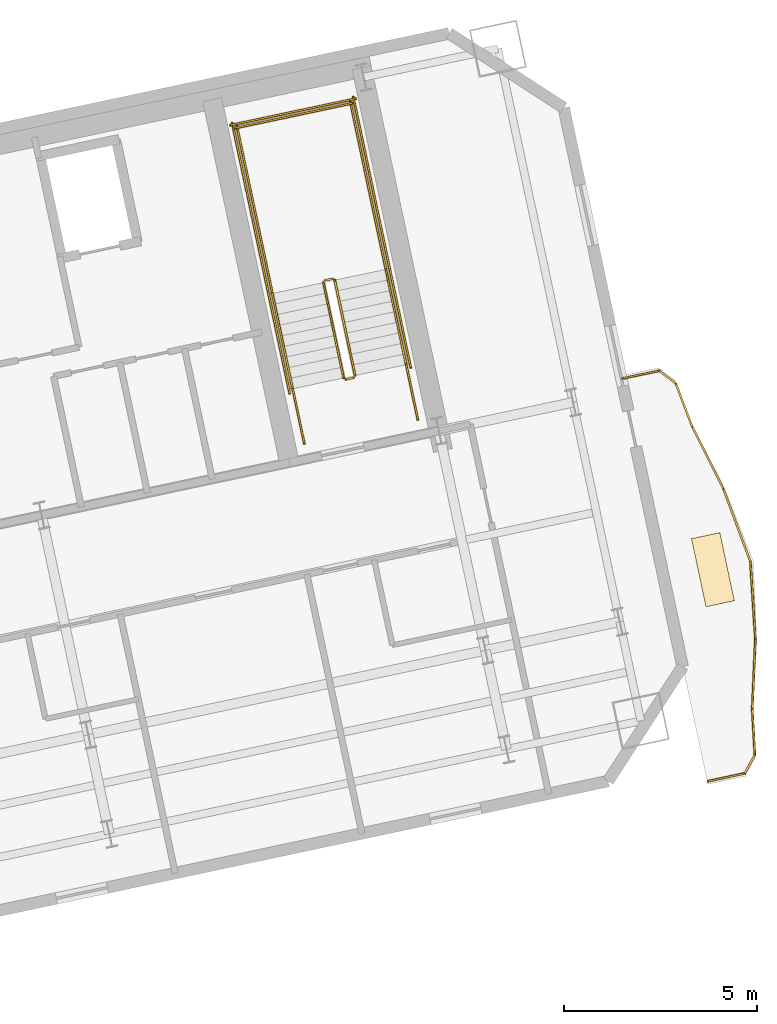
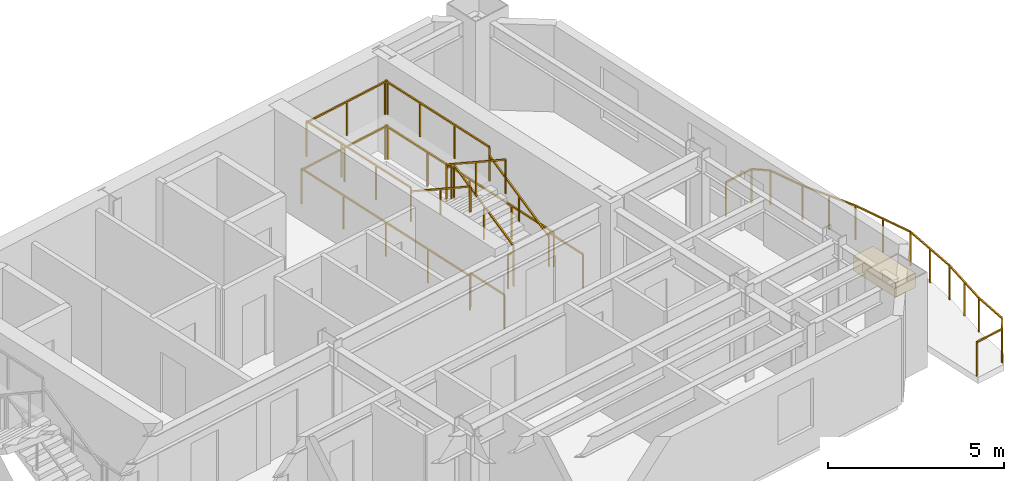
# One storey, part 13 of 13: 24 railings, 1 covering.
"""IFC4 building model written with IfcOpenShell, lengths in metres."""

from ifc_helpers import new_model, si_unit, direction, frame, origin, origin_2d, place, context, subcontext, project, spatial, rectangle, extrude, material, layer, layer_set, type_object, element, save


model = new_model("IFC4")

# Units and contexts
model_context = context("Model", 3, precision=1e-05, world=origin(), true_north=direction((0.0, 1.0)))
body_context = subcontext(model_context, "Body", "Model", "MODEL_VIEW")
ifc_project = project(units=[si_unit("LENGTHUNIT", "METRE"), si_unit("AREAUNIT", "SQUARE_METRE"), si_unit("VOLUMEUNIT", "CUBIC_METRE"), si_unit("PLANEANGLEUNIT", "RADIAN"), si_unit("MASSUNIT", "GRAM", prefix="KILO")], contexts=[model_context])

# Site, building, storey
site_placement = place(None, origin())
site = spatial("IfcSite", under=ifc_project, at=site_placement, CompositionType="ELEMENT")
building_placement = place(site_placement, origin())
building = spatial("IfcBuilding", under=site, at=building_placement, Name="Haevon Station Towers", CompositionType="ELEMENT")
storey_placement = place(building_placement, frame((0.0, 0.0, 189.0)))
storey = spatial("IfcBuildingStorey", under=building, at=storey_placement, Name="L52", CompositionType="ELEMENT", Elevation=189.0)

# Railings
ifc_material_1 = material(Name="Steel S355", Category="steel")
railing_type_1 = type_object("IfcRailingType", Name="GRD-EXT1200", PredefinedType="GUARDRAIL", material=ifc_material_1)
railing_1_placement = place(storey_placement, frame((126.25244140625, 32.750244140625, 0.0)))
element("IfcRailing", 1, at=railing_1_placement, inside=storey, type_object=railing_type_1, Name="L52 Perimeter Guardrail 1", PredefinedType="GUARDRAIL", context=body_context, shape_type="SweptSolid", body=[
    extrude(rectangle(XDim=0.048095703125, YDim=0.048095703125, at=origin_2d()), frame((0.0, 0.0, 1.17578125), z_axis=(0.977706975704, 0.209973973767, 0.0), x_axis=(-0.209973973767, 0.977706975704, 0.0)), (0.0, 0.0, 1.0), 0.974365234375),
    extrude(rectangle(XDim=0.0419921875, YDim=0.0419921875, at=origin_2d()), origin(), (0.0, 0.0, 1.0), 1.15185546875),
    extrude(rectangle(XDim=0.0419921875, YDim=0.0419921875, at=origin_2d()), frame((0.95263671875, 0.20458984375, 0.0)), (0.0, 0.0, 1.0), 1.15185546875),
])
railing_2_placement = place(storey_placement, frame((127.205078125, 32.954833984375, 0.0)))
element("IfcRailing", 2, at=railing_2_placement, inside=storey, type_object=railing_type_1, Name="L52 Perimeter Guardrail 2", PredefinedType="GUARDRAIL", context=body_context, shape_type="SweptSolid", body=[
    extrude(rectangle(XDim=0.048095703125, YDim=0.048095703125, at=origin_2d()), frame((0.0, 0.0, 1.17578125), z_axis=(0.480899548863, 0.876775697601, 0.0), x_axis=(-0.876775697601, 0.480899548863, 0.0)), (0.0, 0.0, 1.0), 0.542724609375),
    extrude(rectangle(XDim=0.0419921875, YDim=0.0419921875, at=origin_2d()), origin(), (0.0, 0.0, 1.0), 1.15185546875),
    extrude(rectangle(XDim=0.0419921875, YDim=0.0419921875, at=origin_2d()), frame((0.260986328125, 0.475830078125, 0.0)), (0.0, 0.0, 1.0), 1.15185546875),
])
railing_3_placement = place(storey_placement, frame((127.466064453125, 33.4306640625, 0.0)))
element("IfcRailing", 3, at=railing_3_placement, inside=storey, type_object=railing_type_1, Name="L52 Perimeter Guardrail 3", PredefinedType="GUARDRAIL", context=body_context, shape_type="SweptSolid", body=[
    extrude(rectangle(XDim=0.048095703125, YDim=0.048095703125, at=origin_2d()), frame((0.0, 0.0, 1.17578125), z_axis=(-0.056691663629, 0.998391734378, 0.0), x_axis=(-0.998391734378, -0.056691663629, 0.0)), (0.0, 0.0, 1.0), 1.184326171875),
    extrude(rectangle(XDim=0.0419921875, YDim=0.0419921875, at=origin_2d()), origin(), (0.0, 0.0, 1.0), 1.15185546875),
    extrude(rectangle(XDim=0.0419921875, YDim=0.0419921875, at=origin_2d()), frame((-0.067138671875, 1.182373046875, 0.0)), (0.0, 0.0, 1.0), 1.15185546875),
])
railing_4_placement = place(storey_placement, frame((127.39892578125, 34.613037109375, 0.0)))
element("IfcRailing", 4, at=railing_4_placement, inside=storey, type_object=railing_type_1, Name="L52 Perimeter Guardrail 4", PredefinedType="GUARDRAIL", context=body_context, shape_type="SweptSolid", body=[
    extrude(rectangle(XDim=0.048095703125, YDim=0.048095703125, at=origin_2d()), frame((0.0, 0.0, 1.17578125), z_axis=(0.044487583836, 0.99900993733, 0.0), x_axis=(-0.99900993733, 0.044487583836, 0.0)), (0.0, 0.0, 1.0), 1.805419921875),
    extrude(rectangle(XDim=0.0419921875, YDim=0.0419921875, at=origin_2d()), origin(), (0.0, 0.0, 1.0), 1.15185546875),
    extrude(rectangle(XDim=0.0419921875, YDim=0.0419921875, at=origin_2d()), frame((0.0400390625, 0.90185546875, 0.0)), (0.0, 0.0, 1.0), 1.15185546875),
    extrude(rectangle(XDim=0.0419921875, YDim=0.0419921875, at=origin_2d()), frame((0.080322265625, 1.8037109375, 0.0)), (0.0, 0.0, 1.0), 1.15185546875),
])
railing_5_placement = place(storey_placement, frame((127.479248046875, 36.416748046875, 0.0)))
element("IfcRailing", 5, at=railing_5_placement, inside=storey, type_object=railing_type_1, Name="L52 Perimeter Guardrail 5", PredefinedType="GUARDRAIL", context=body_context, shape_type="SweptSolid", body=[
    extrude(rectangle(XDim=0.048095703125, YDim=0.048095703125, at=origin_2d()), frame((0.0, 0.0, 1.17578125), z_axis=(-0.063329948966, 0.997992644043, 0.0), x_axis=(-0.997992644043, -0.063329948966, 0.0)), (0.0, 0.0, 1.0), 2.012451171875),
    extrude(rectangle(XDim=0.0419921875, YDim=0.0419921875, at=origin_2d()), origin(), (0.0, 0.0, 1.0), 1.15185546875),
    extrude(rectangle(XDim=0.0419921875, YDim=0.0419921875, at=origin_2d()), frame((-0.063720703125, 1.004150390625, 0.0)), (0.0, 0.0, 1.0), 1.15185546875),
    extrude(rectangle(XDim=0.0419921875, YDim=0.0419921875, at=origin_2d()), frame((-0.12744140625, 2.00830078125, 0.0)), (0.0, 0.0, 1.0), 1.15185546875),
])
railing_6_placement = place(storey_placement, frame((127.351806640625, 38.425048828125, 0.0)))
element("IfcRailing", 6, at=railing_6_placement, inside=storey, type_object=railing_type_1, Name="L52 Perimeter Guardrail 6", PredefinedType="GUARDRAIL", context=body_context, shape_type="SweptSolid", body=[
    extrude(rectangle(XDim=0.048095703125, YDim=0.048095703125, at=origin_2d()), frame((0.0, 0.0, 1.17578125), z_axis=(-0.348076866175, 0.937465996841, 0.0), x_axis=(-0.937465996841, -0.348076866175, 0.0)), (0.0, 0.0, 1.0), 2.01220703125),
    extrude(rectangle(XDim=0.0419921875, YDim=0.0419921875, at=origin_2d()), origin(), (0.0, 0.0, 1.0), 1.15185546875),
    extrude(rectangle(XDim=0.0419921875, YDim=0.0419921875, at=origin_2d()), frame((-0.35009765625, 0.943359375, 0.0)), (0.0, 0.0, 1.0), 1.15185546875),
    extrude(rectangle(XDim=0.0419921875, YDim=0.0419921875, at=origin_2d()), frame((-0.700439453125, 1.886474609375, 0.0)), (0.0, 0.0, 1.0), 1.15185546875),
])
railing_7_placement = place(storey_placement, frame((126.6513671875, 40.3115234375, 0.0)))
element("IfcRailing", 7, at=railing_7_placement, inside=storey, type_object=railing_type_1, Name="L52 Perimeter Guardrail 7", PredefinedType="GUARDRAIL", context=body_context, shape_type="SweptSolid", body=[
    extrude(rectangle(XDim=0.048095703125, YDim=0.048095703125, at=origin_2d()), frame((0.0, 0.0, 1.17578125), z_axis=(-0.446889047543, 0.894589391389, 0.0), x_axis=(-0.894589391389, -0.446889047543, 0.0)), (0.0, 0.0, 1.0), 1.8056640625),
    extrude(rectangle(XDim=0.0419921875, YDim=0.0419921875, at=origin_2d()), origin(), (0.0, 0.0, 1.0), 1.15185546875),
    extrude(rectangle(XDim=0.0419921875, YDim=0.0419921875, at=origin_2d()), frame((-0.4033203125, 0.8076171875, 0.0)), (0.0, 0.0, 1.0), 1.15185546875),
    extrude(rectangle(XDim=0.0419921875, YDim=0.0419921875, at=origin_2d()), frame((-0.806884765625, 1.615234375, 0.0)), (0.0, 0.0, 1.0), 1.15185546875),
])
railing_8_placement = place(storey_placement, frame((125.844482421875, 41.9267578125, 0.0)))
element("IfcRailing", 8, at=railing_8_placement, inside=storey, type_object=railing_type_1, Name="L52 Perimeter Guardrail 8", PredefinedType="GUARDRAIL", context=body_context, shape_type="SweptSolid", body=[
    extrude(rectangle(XDim=0.048095703125, YDim=0.048095703125, at=origin_2d()), frame((0.0, 0.0, 1.17578125), z_axis=(-0.354442889669, 0.935077664135, 0.0), x_axis=(-0.935077664135, -0.354442889669, 0.0)), (0.0, 0.0, 1.0), 1.18408203125),
    extrude(rectangle(XDim=0.0419921875, YDim=0.0419921875, at=origin_2d()), origin(), (0.0, 0.0, 1.0), 1.15185546875),
    extrude(rectangle(XDim=0.0419921875, YDim=0.0419921875, at=origin_2d()), frame((-0.419677734375, 1.107177734375, 0.0)), (0.0, 0.0, 1.0), 1.15185546875),
])
railing_9_placement = place(storey_placement, frame((125.4248046875, 43.033935546875, 0.0)))
element("IfcRailing", 9, at=railing_9_placement, inside=storey, type_object=railing_type_1, Name="L52 Perimeter Guardrail 9", PredefinedType="GUARDRAIL", context=body_context, shape_type="SweptSolid", body=[
    extrude(rectangle(XDim=0.048095703125, YDim=0.048095703125, at=origin_2d()), frame((0.0, 0.0, 1.17578125), z_axis=(-0.795823981278, 0.605528026456, 0.0), x_axis=(-0.605528026456, -0.795823981278, 0.0)), (0.0, 0.0, 1.0), 0.542724609375),
    extrude(rectangle(XDim=0.0419921875, YDim=0.0419921875, at=origin_2d()), origin(), (0.0, 0.0, 1.0), 1.15185546875),
    extrude(rectangle(XDim=0.0419921875, YDim=0.0419921875, at=origin_2d()), frame((-0.431884765625, 0.32861328125, 0.0)), (0.0, 0.0, 1.0), 1.15185546875),
])
railing_10_placement = place(storey_placement, frame((124.992919921875, 43.362548828125, 0.0)))
element("IfcRailing", 10, at=railing_10_placement, inside=storey, type_object=railing_type_1, Name="L52 Perimeter Guardrail 10", PredefinedType="GUARDRAIL", context=body_context, shape_type="SweptSolid", body=[
    extrude(rectangle(XDim=0.048095703125, YDim=0.048095703125, at=origin_2d()), frame((0.0, 0.0, 1.17578125), z_axis=(-0.978616190776, -0.20569480098, 0.0), x_axis=(0.20569480098, -0.978616190776, 0.0)), (0.0, 0.0, 1.0), 0.974365234375),
    extrude(rectangle(XDim=0.0419921875, YDim=0.0419921875, at=origin_2d()), origin(), (0.0, 0.0, 1.0), 1.15185546875),
    extrude(rectangle(XDim=0.0419921875, YDim=0.0419921875, at=origin_2d()), frame((-0.95361328125, -0.200439453125, 0.0)), (0.0, 0.0, 1.0), 1.15185546875),
])
railing_type_2 = type_object("IfcRailingType", Name="GRD-STR1200", PredefinedType="GUARDRAIL", material=ifc_material_1)
railing_11_placement = place(storey_placement, frame((117.128662109375, 43.23974609375, 0.1650390625)))
element("IfcRailing", 11, at=railing_11_placement, inside=storey, type_object=railing_type_2, Name="L52 ST4 Stair Guard 1", PredefinedType="GUARDRAIL", context=body_context, shape_type="SweptSolid", body=[
    extrude(rectangle(XDim=0.048095703125, YDim=0.048095703125, at=origin_2d()), frame((0.0, 0.0, 1.17578125), z_axis=(-0.179128856099, 0.842723639875, 0.507670877349), x_axis=(-0.978147030254, -0.207914374695, 0.0)), (0.0, 0.0, 1.0), 2.9248046875),
    extrude(rectangle(XDim=0.0419921875, YDim=0.0419921875, at=origin_2d()), origin(), (0.0, 0.0, 1.0), 1.15185546875),
    extrude(rectangle(XDim=0.0419921875, YDim=0.0419921875, at=origin_2d()), frame((-0.261962890625, 1.232421875, 0.742431640625)), (0.0, 0.0, 1.0), 1.15185546875),
    extrude(rectangle(XDim=0.0419921875, YDim=0.0419921875, at=origin_2d()), frame((-0.52392578125, 2.46484375, 1.48486328125)), (0.0, 0.0, 1.0), 1.15185546875),
])
railing_12_placement = place(storey_placement, frame((116.54541015625, 45.7431640625, 1.64990234375)))
element("IfcRailing", 12, at=railing_12_placement, inside=storey, type_object=railing_type_2, Name="L52 ST4 Stair Guard 2", PredefinedType="GUARDRAIL", context=body_context, shape_type="SweptSolid", body=[
    extrude(rectangle(XDim=0.048095703125, YDim=0.048095703125, at=origin_2d()), frame((0.0, 0.0, 1.17578125), z_axis=(-0.97826412705, -0.207362720198, 0.0), x_axis=(0.207362720198, -0.97826412705, 0.0)), (0.0, 0.0, 1.0), 0.2001953125),
    extrude(rectangle(XDim=0.0419921875, YDim=0.0419921875, at=origin_2d()), origin(), (0.0, 0.0, 1.0), 1.15185546875),
    extrude(rectangle(XDim=0.0419921875, YDim=0.0419921875, at=origin_2d()), frame((-0.19580078125, -0.04150390625, 0.0)), (0.0, 0.0, 1.0), 1.15185546875),
])
railing_13_placement = place(storey_placement, frame((117.925048828125, 45.9853515625, 1.64990234375)))
element("IfcRailing", 13, at=railing_13_placement, inside=storey, type_object=railing_type_2, Name="L52 ST4 Stair Guard 3", PredefinedType="GUARDRAIL", context=body_context, shape_type="SweptSolid", body=[
    extrude(rectangle(XDim=0.048095703125, YDim=0.048095703125, at=origin_2d()), frame((0.0, 0.0, 1.17578125), z_axis=(-0.207876551949, 0.978155069071, 0.0), x_axis=(-0.978155069071, -0.207876551949, 0.0)), (0.0, 0.0, 1.0), 4.429931640625),
    extrude(rectangle(XDim=0.0419921875, YDim=0.0419921875, at=origin_2d()), origin(), (0.0, 0.0, 1.0), 1.15185546875),
    extrude(rectangle(XDim=0.0419921875, YDim=0.0419921875, at=origin_2d()), frame((-0.306884765625, 1.4443359375, 0.0)), (0.0, 0.0, 1.0), 1.15185546875),
    extrude(rectangle(XDim=0.0419921875, YDim=0.0419921875, at=origin_2d()), frame((-0.614013671875, 2.888916015625, 0.0)), (0.0, 0.0, 1.0), 1.15185546875),
    extrude(rectangle(XDim=0.0419921875, YDim=0.0419921875, at=origin_2d()), frame((-0.9208984375, 4.333251953125, 0.0)), (0.0, 0.0, 1.0), 1.15185546875),
])
railing_14_placement = place(storey_placement, frame((114.99072265625, 45.361572265625, 1.64990234375)))
element("IfcRailing", 14, at=railing_14_placement, inside=storey, type_object=railing_type_2, Name="L52 ST4 Stair Guard 4", PredefinedType="GUARDRAIL", context=body_context, shape_type="SweptSolid", body=[
    extrude(rectangle(XDim=0.048095703125, YDim=0.048095703125, at=origin_2d()), frame((0.0, 0.0, 1.17578125), z_axis=(-0.207929280007, 0.978143861871, 0.0), x_axis=(-0.978143861871, -0.207929280007, 0.0)), (0.0, 0.0, 1.0), 4.43017578125),
    extrude(rectangle(XDim=0.0419921875, YDim=0.0419921875, at=origin_2d()), origin(), (0.0, 0.0, 1.0), 1.15185546875),
    extrude(rectangle(XDim=0.0419921875, YDim=0.0419921875, at=origin_2d()), frame((-0.30712890625, 1.4443359375, 0.0)), (0.0, 0.0, 1.0), 1.15185546875),
    extrude(rectangle(XDim=0.0419921875, YDim=0.0419921875, at=origin_2d()), frame((-0.614013671875, 2.888916015625, 0.0)), (0.0, 0.0, 1.0), 1.15185546875),
    extrude(rectangle(XDim=0.0419921875, YDim=0.0419921875, at=origin_2d()), frame((-0.921142578125, 4.333251953125, 0.0)), (0.0, 0.0, 1.0), 1.15185546875),
])
railing_15_placement = place(storey_placement, frame((117.0634765625, 50.280029296875, 1.64990234375)))
element("IfcRailing", 15, at=railing_15_placement, inside=storey, type_object=railing_type_2, Name="L52 ST4 Stair Guard 5", PredefinedType="GUARDRAIL", context=body_context, shape_type="SweptSolid", body=[
    extrude(rectangle(XDim=0.048095703125, YDim=0.048095703125, at=origin_2d()), frame((0.0, 0.0, 1.17578125), z_axis=(-0.978146839882, -0.207915270313, 0.0), x_axis=(0.207915270313, -0.978146839882, 0.0)), (0.0, 0.0, 1.0), 3.099853515625),
    extrude(rectangle(XDim=0.0419921875, YDim=0.0419921875, at=origin_2d()), origin(), (0.0, 0.0, 1.0), 1.15185546875),
    extrude(rectangle(XDim=0.0419921875, YDim=0.0419921875, at=origin_2d()), frame((-1.51611328125, -0.322265625, 0.0)), (0.0, 0.0, 1.0), 1.15185546875),
    extrude(rectangle(XDim=0.0419921875, YDim=0.0419921875, at=origin_2d()), frame((-3.0322265625, -0.64453125, 0.0)), (0.0, 0.0, 1.0), 1.15185546875),
])
railing_16_placement = place(storey_placement, frame((116.311279296875, 45.642333984375, 1.81494140625)))
element("IfcRailing", 16, at=railing_16_placement, inside=storey, type_object=railing_type_2, Name="L52 ST4 Stair Guard 6", PredefinedType="GUARDRAIL", context=body_context, shape_type="SweptSolid", body=[
    extrude(rectangle(XDim=0.048095703125, YDim=0.048095703125, at=origin_2d()), frame((0.0, 0.0, 1.17578125), z_axis=(0.179108667068, -0.842712120868, 0.50769712105), x_axis=(0.978151217824, 0.207894673017, 0.0)), (0.0, 0.0, 1.0), 2.92529296875),
    extrude(rectangle(XDim=0.0419921875, YDim=0.0419921875, at=origin_2d()), origin(), (0.0, 0.0, 1.0), 1.15185546875),
    extrude(rectangle(XDim=0.0419921875, YDim=0.0419921875, at=origin_2d()), frame((0.261962890625, -1.232421875, 0.74267578125)), (0.0, 0.0, 1.0), 1.15185546875),
    extrude(rectangle(XDim=0.0419921875, YDim=0.0419921875, at=origin_2d()), frame((0.52392578125, -2.465087890625, 1.485107421875)), (0.0, 0.0, 1.0), 1.15185546875),
])
railing_17_placement = place(storey_placement, frame((117.090087890625, 43.180419921875, 0.0)))
element("IfcRailing", 17, at=railing_17_placement, inside=storey, type_object=railing_type_2, Name="L52 ST4 Stair Guard 7", PredefinedType="GUARDRAIL", context=body_context, shape_type="SweptSolid", body=[
    extrude(rectangle(XDim=0.048095703125, YDim=0.048095703125, at=origin_2d()), frame((0.0, 0.0, 1.17578125), z_axis=(-0.978211583308, -0.207610448392, 0.0), x_axis=(0.207610448392, -0.978211583308, 0.0)), (0.0, 0.0, 1.0), 0.199951171875),
    extrude(rectangle(XDim=0.0419921875, YDim=0.0419921875, at=origin_2d()), origin(), (0.0, 0.0, 1.0), 1.15185546875),
    extrude(rectangle(XDim=0.0419921875, YDim=0.0419921875, at=origin_2d()), frame((-0.195556640625, -0.04150390625, 0.0)), (0.0, 0.0, 1.0), 1.15185546875),
])
for number, where, name in (
    (18, (118.75048828125, 42.10205078125, 0.0), "L52 ST4 Stair Guard 8"),
    (19, (115.816162109375, 41.478271484375, 0.0), "L52 ST4 Stair Guard 9"),
):
    element("IfcRailing", number, at=place(storey_placement, frame(where)), inside=storey, type_object=railing_type_2, Name=name, PredefinedType="GUARDRAIL", context=body_context, shape_type="SweptSolid", body=[
        extrude(rectangle(XDim=0.048095703125, YDim=0.048095703125, at=origin_2d()), frame((0.0, 0.0, 1.17578125), z_axis=(-0.207919161079, 0.978146012851, 0.0), x_axis=(-0.978146012851, -0.207919161079, 0.0)), (0.0, 0.0, 1.0), 1.4501953125),
        extrude(rectangle(XDim=0.0419921875, YDim=0.0419921875, at=origin_2d()), origin(), (0.0, 0.0, 1.0), 1.15185546875),
        extrude(rectangle(XDim=0.0419921875, YDim=0.0419921875, at=origin_2d()), frame((-0.301513671875, 1.41845703125, 0.0)), (0.0, 0.0, 1.0), 1.15185546875),
    ])
railing_18_placement = place(storey_placement, frame((118.567626953125, 43.443359375, 0.0)))
element("IfcRailing", 20, at=railing_18_placement, inside=storey, type_object=railing_type_2, Name="L52 ST4 Stair Guard 10", PredefinedType="GUARDRAIL", context=body_context, shape_type="SweptSolid", body=[
    extrude(rectangle(XDim=0.048095703125, YDim=0.048095703125, at=origin_2d()), frame((0.0, 0.0, 1.17578125), z_axis=(-0.207908168386, 0.978148349443, 0.0), x_axis=(-0.978148349443, -0.207908168386, 0.0)), (0.0, 0.0, 1.0), 7.150146484375),
    extrude(rectangle(XDim=0.0419921875, YDim=0.0419921875, at=origin_2d()), origin(), (0.0, 0.0, 1.0), 1.15185546875),
    extrude(rectangle(XDim=0.0419921875, YDim=0.0419921875, at=origin_2d()), frame((-0.37158203125, 1.74853515625, 0.0)), (0.0, 0.0, 1.0), 1.15185546875),
    extrude(rectangle(XDim=0.0419921875, YDim=0.0419921875, at=origin_2d()), frame((-0.7431640625, 3.4970703125, 0.0)), (0.0, 0.0, 1.0), 1.15185546875),
    extrude(rectangle(XDim=0.0419921875, YDim=0.0419921875, at=origin_2d()), frame((-1.114990234375, 5.245361328125, 0.0)), (0.0, 0.0, 1.0), 1.15185546875),
    extrude(rectangle(XDim=0.0419921875, YDim=0.0419921875, at=origin_2d()), frame((-1.486572265625, 6.993896484375, 0.0)), (0.0, 0.0, 1.0), 1.15185546875),
])
railing_19_placement = place(storey_placement, frame((115.4375, 42.778076171875, 0.0)))
element("IfcRailing", 21, at=railing_19_placement, inside=storey, type_object=railing_type_2, Name="L52 ST4 Stair Guard 11", PredefinedType="GUARDRAIL", context=body_context, shape_type="SweptSolid", body=[
    extrude(rectangle(XDim=0.048095703125, YDim=0.048095703125, at=origin_2d()), frame((0.0, 0.0, 1.17578125), z_axis=(-0.207882442208, 0.978153817261, 0.0), x_axis=(-0.978153817261, -0.207882442208, 0.0)), (0.0, 0.0, 1.0), 7.14990234375),
    extrude(rectangle(XDim=0.0419921875, YDim=0.0419921875, at=origin_2d()), origin(), (0.0, 0.0, 1.0), 1.15185546875),
    extrude(rectangle(XDim=0.0419921875, YDim=0.0419921875, at=origin_2d()), frame((-0.37158203125, 1.74853515625, 0.0)), (0.0, 0.0, 1.0), 1.15185546875),
    extrude(rectangle(XDim=0.0419921875, YDim=0.0419921875, at=origin_2d()), frame((-0.7431640625, 3.496826171875, 0.0)), (0.0, 0.0, 1.0), 1.15185546875),
    extrude(rectangle(XDim=0.0419921875, YDim=0.0419921875, at=origin_2d()), frame((-1.11474609375, 5.2451171875, 0.0)), (0.0, 0.0, 1.0), 1.15185546875),
    extrude(rectangle(XDim=0.0419921875, YDim=0.0419921875, at=origin_2d()), frame((-1.486328125, 6.99365234375, 0.0)), (0.0, 0.0, 1.0), 1.15185546875),
])
railing_20_placement = place(storey_placement, frame((117.140380859375, 50.398681640625, 0.0)))
element("IfcRailing", 22, at=railing_20_placement, inside=storey, type_object=railing_type_2, Name="L52 ST4 Stair Guard 12", PredefinedType="GUARDRAIL", context=body_context, shape_type="SweptSolid", body=[
    extrude(rectangle(XDim=0.048095703125, YDim=0.048095703125, at=origin_2d()), frame((0.0, 0.0, 1.17578125), z_axis=(-0.978135717418, -0.207967589567, 0.0), x_axis=(0.207967589567, -0.978135717418, 0.0)), (0.0, 0.0, 1.0), 3.300048828125),
    extrude(rectangle(XDim=0.0419921875, YDim=0.0419921875, at=origin_2d()), origin(), (0.0, 0.0, 1.0), 1.15185546875),
    extrude(rectangle(XDim=0.0419921875, YDim=0.0419921875, at=origin_2d()), frame((-1.61376953125, -0.34326171875, 0.0)), (0.0, 0.0, 1.0), 1.15185546875),
    extrude(rectangle(XDim=0.0419921875, YDim=0.0419921875, at=origin_2d()), frame((-3.227783203125, -0.686279296875, 0.0)), (0.0, 0.0, 1.0), 1.15185546875),
])
railing_type_3 = type_object("IfcRailingType", Name="HND-STR900", PredefinedType="HANDRAIL", material=ifc_material_1)
railing_21_placement = place(storey_placement, frame((118.448974609375, 43.5205078125, 0.1650390625)))
element("IfcRailing", 23, at=railing_21_placement, inside=storey, type_object=railing_type_3, Name="L52 ST4 Stair Handrail 1", PredefinedType="HANDRAIL", context=body_context, shape_type="SweptSolid", body=[
    extrude(rectangle(XDim=0.048095703125, YDim=0.048095703125, at=origin_2d()), frame((0.0, 0.0, 0.8759765625), z_axis=(-0.179128856099, 0.842723639875, 0.507670877349), x_axis=(-0.978147030254, -0.207914374695, 0.0)), (0.0, 0.0, 1.0), 2.9248046875),
    extrude(rectangle(XDim=0.0419921875, YDim=0.0419921875, at=origin_2d()), origin(), (0.0, 0.0, 1.0), 0.851806640625),
    extrude(rectangle(XDim=0.0419921875, YDim=0.0419921875, at=origin_2d()), frame((-0.261962890625, 1.232421875, 0.742431640625)), (0.0, 0.0, 1.0), 0.851806640625),
    extrude(rectangle(XDim=0.0419921875, YDim=0.0419921875, at=origin_2d()), frame((-0.52392578125, 2.46484375, 1.48486328125)), (0.0, 0.0, 1.0), 0.851806640625),
])
railing_22_placement = place(storey_placement, frame((114.99072265625, 45.361572265625, 1.81494140625)))
element("IfcRailing", 24, at=railing_22_placement, inside=storey, type_object=railing_type_3, Name="L52 ST4 Stair Handrail 2", PredefinedType="HANDRAIL", context=body_context, shape_type="SweptSolid", body=[
    extrude(rectangle(XDim=0.048095703125, YDim=0.048095703125, at=origin_2d()), frame((0.0, 0.0, 0.8759765625), z_axis=(0.179121265225, -0.842687928106, 0.507732831485), x_axis=(0.978147030254, 0.207914374695, 0.0)), (0.0, 0.0, 1.0), 2.925048828125),
    extrude(rectangle(XDim=0.0419921875, YDim=0.0419921875, at=origin_2d()), origin(), (0.0, 0.0, 1.0), 0.851806640625),
    extrude(rectangle(XDim=0.0419921875, YDim=0.0419921875, at=origin_2d()), frame((0.261962890625, -1.232421875, 0.74267578125)), (0.0, 0.0, 1.0), 0.851806640625),
    extrude(rectangle(XDim=0.0419921875, YDim=0.0419921875, at=origin_2d()), frame((0.52392578125, -2.46484375, 1.485107421875)), (0.0, 0.0, 1.0), 0.851806640625),
])

# Covering
ifc_material_2 = material(Name="Architectural planter GRC", Category="concrete")
ifc_layer = layer(ifc_material_2, 0.550048828125)
ifc_layer_set = layer_set([ifc_layer], Name="Architectural planter GRC")
covering_type = type_object("IfcCoveringType", Name="PLN-GRC550", PredefinedType="MOLDING", material=ifc_layer_set)
covering_placement = place(storey_placement, frame((126.382080078125, 38.218994140625, 0.0), z_axis=(0.0, 0.0, 1.0), x_axis=(0.978147600734, 0.207911690818, 0.0)))
element("IfcCovering", 25, at=covering_placement, inside=storey, type_object=covering_type, Name="Tower 2 L52 Scalloped Balcony PLANTER", PredefinedType="MOLDING", context=body_context, shape_type="SweptSolid", body=[
    extrude(rectangle(XDim=0.75, YDim=1.800048828125, at=origin_2d()), origin(), (0.0, 0.0, 1.0), 0.5),
])

save(model, "model.ifc")
